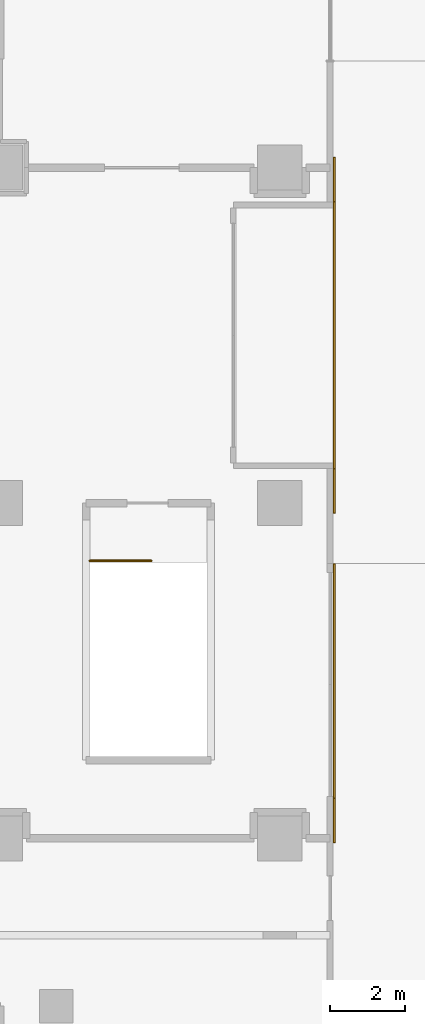
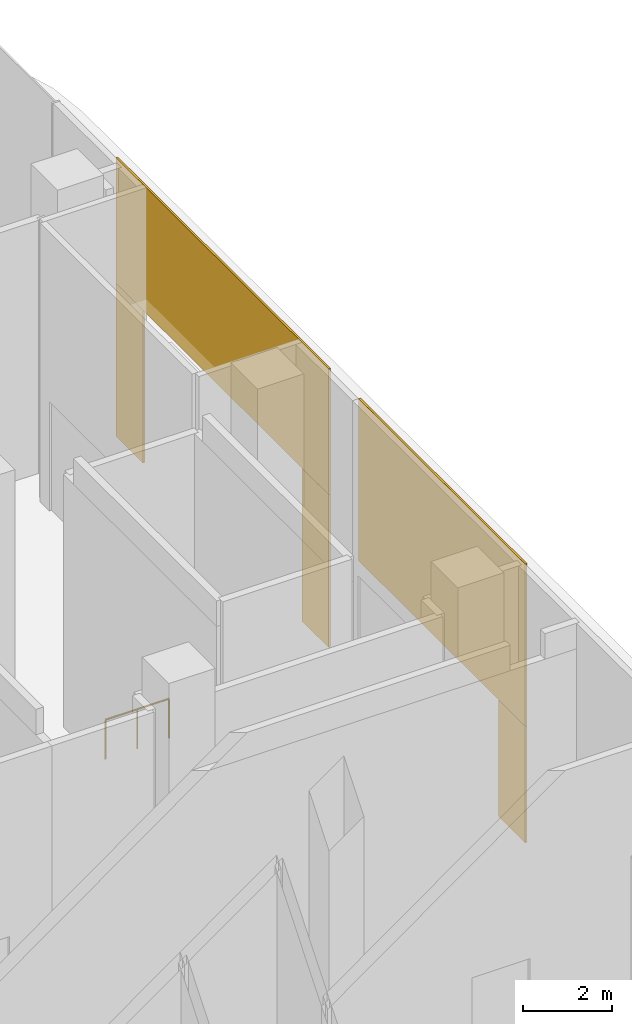
# One storey, part 38 of 42: 5 coverings, 1 railing.
"""IFC4 building model written with IfcOpenShell, lengths in metres."""

from ifc_helpers import new_model, si_unit, direction, frame, origin, origin_2d, place, context, subcontext, project, spatial, rectangle, circle, extrude, material, layer, layer_set, type_object, element, save


model = new_model("IFC4")

# Units and contexts
model_context = context("Model", 3, precision=1e-05, world=origin(), true_north=direction((0.0, 1.0)))
body_context = subcontext(model_context, "Body", "Model", "MODEL_VIEW")
ifc_project = project(units=[si_unit("LENGTHUNIT", "METRE"), si_unit("AREAUNIT", "SQUARE_METRE"), si_unit("VOLUMEUNIT", "CUBIC_METRE"), si_unit("PLANEANGLEUNIT", "RADIAN"), si_unit("MASSUNIT", "GRAM", prefix="KILO")], contexts=[model_context])

# Site, building, storey
site_placement = place(None, origin())
site = spatial("IfcSite", under=ifc_project, at=site_placement, CompositionType="ELEMENT")
building_placement = place(site_placement, origin())
building = spatial("IfcBuilding", under=site, at=building_placement, Name="Plateau Cross Towers", CompositionType="ELEMENT")
storey_placement = place(building_placement, origin())
storey = spatial("IfcBuildingStorey", under=building, at=storey_placement, Name="L00", CompositionType="ELEMENT", Elevation=0.0)

# Coverings
ifc_material_1 = material(Name="Aluminium composite cladding", Category="aluminium")
ifc_layer = layer(ifc_material_1, 0.050048828125)
ifc_layer_set = layer_set([ifc_layer], Name="Aluminium composite cladding")
covering_type = type_object("IfcCoveringType", Name="Entrance surround board 50", PredefinedType="CLADDING", material=ifc_layer_set)
covering_1_placement = place(storey_placement, frame((107.955078125, 40.5, 4.2001953125), z_axis=(0.0, 0.0, 1.0), x_axis=(0.0, 1.0, 0.0)))
element("IfcCovering", 1, at=covering_1_placement, inside=storey, type_object=covering_type, Name="Entrance station-E1 head fascia", PredefinedType="CLADDING", context=body_context, shape_type="SweptSolid", body=[
    extrude(rectangle(XDim=9.56005859375, YDim=0.050048828125, at=origin_2d()), origin(), (0.0, 0.0, 1.0), 3.449951171875),
])
for number, where, z_axis, x_axis, name in (
    (2, (107.955078125, 36.320068359375, 0.0), (0.0, 0.0, 1.0), (0.0, 1.0, 0.0), "Entrance station-E1 pier"),
    (3, (107.955078125, 44.679931640625, 0.0), (0.0, 0.0, 1.0), (0.0, 1.0, 0.0), "Entrance station-E1 pier"),
):
    element("IfcCovering", number, at=place(storey_placement, frame(where, z_axis=z_axis, x_axis=x_axis)), inside=storey, type_object=covering_type, Name=name, PredefinedType="CLADDING", context=body_context, shape_type="SweptSolid", body=[
        extrude(rectangle(XDim=1.199951171875, YDim=0.050048828125, at=origin_2d()), origin(), (0.0, 0.0, 1.0), 4.199951171875),
    ])
covering_2_placement = place(storey_placement, frame((107.955078125, 30.628662109375, 3.2001953125), z_axis=(0.0, 0.0, 1.0), x_axis=(0.0, 1.0, 0.0)))
element("IfcCovering", 4, at=covering_2_placement, inside=storey, type_object=covering_type, Name="Entrance station-E2 head fascia", PredefinedType="CLADDING", context=body_context, shape_type="SweptSolid", body=[
    extrude(rectangle(XDim=7.492431640625, YDim=0.050048828125, at=origin_2d()), origin(), (0.0, 0.0, 1.0), 4.449951171875),
])
covering_3_placement = place(storey_placement, frame((107.955078125, 27.482421875, 0.0), z_axis=(0.0, 0.0, 1.0), x_axis=(0.0, 1.0, 0.0)))
element("IfcCovering", 5, at=covering_3_placement, inside=storey, type_object=covering_type, Name="Entrance station-E2 pier", PredefinedType="CLADDING", context=body_context, shape_type="SweptSolid", body=[
    extrude(rectangle(XDim=1.199951171875, YDim=0.050048828125, at=origin_2d()), origin(), (0.0, 0.0, 1.0), 3.199951171875),
])

# Railing
ifc_material_2 = material(Name="Stainless steel and toughened glass", Category="steel")
railing_type = type_object("IfcRailingType", Name="RL-GUARD-1100", PredefinedType="GUARDRAIL", material=ifc_material_2)
railing_placement = place(storey_placement, frame((101.39990234375, 34.449951171875, 0.0)))
element("IfcRailing", 6, at=railing_placement, inside=storey, type_object=railing_type, Name="L00 PB6 top well guard 1", PredefinedType="GUARDRAIL", context=body_context, shape_type="SweptSolid", body=[
    extrude(circle(Radius=0.02392578125, at=origin_2d()), frame((0.0, 0.0, 1.076171875), z_axis=(1.0, 0.0, 0.0), x_axis=(0.0, 1.0, 0.0)), (0.0, 0.0, 1.0), 1.650146484375),
    extrude(circle(Radius=0.02099609375, at=origin_2d()), origin(), (0.0, 0.0, 1.0), 1.052001953125),
    extrude(circle(Radius=0.02099609375, at=origin_2d()), frame((0.8251953125, 0.0, 0.0)), (0.0, 0.0, 1.0), 1.052001953125),
    extrude(circle(Radius=0.02099609375, at=origin_2d()), frame((1.650146484375, 0.0, 0.0)), (0.0, 0.0, 1.0), 1.052001953125),
])

save(model, "model.ifc")
